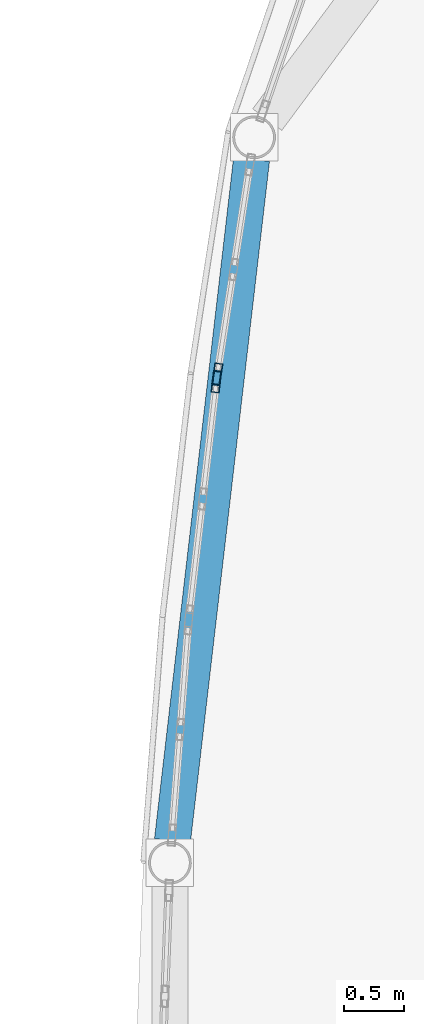
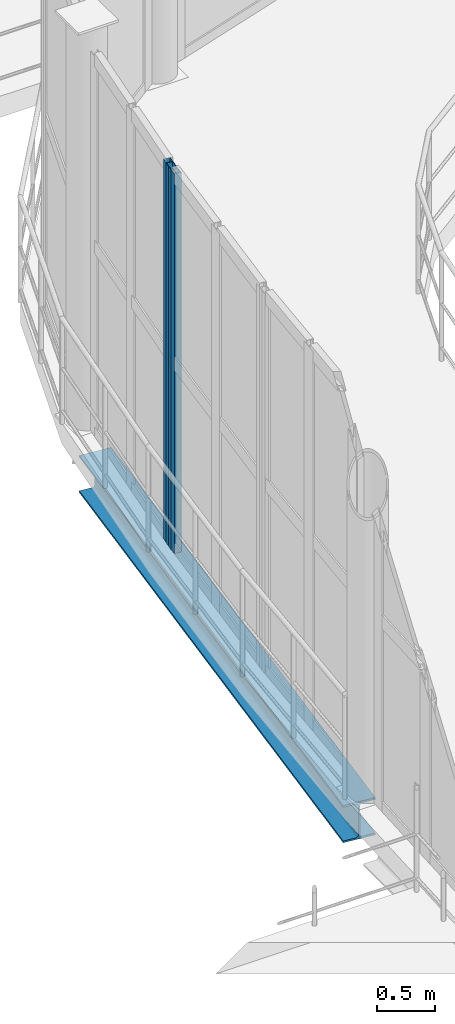
# One storey, part 42 of 138: 2 members, 1 beam, 2 elements without a shape of their own.
"""IFC4 building model written with IfcOpenShell, lengths in metres."""

from ifc_helpers import new_model, si_unit, direction, frame, origin, origin_2d, place, context, subcontext, project, spatial, hollow_rectangle, i_section, extrude, material, layer, layer_set, material_profile, profile_set, type_object, element, aggregate, save


model = new_model("IFC4")

# Units and contexts
model_context = context("Model", 3, precision=1e-05, world=origin(), true_north=direction((0.0, 1.0)))
body_context = subcontext(model_context, "Body", "Model", "MODEL_VIEW")
ifc_project = project(units=[si_unit("LENGTHUNIT", "METRE"), si_unit("AREAUNIT", "SQUARE_METRE"), si_unit("VOLUMEUNIT", "CUBIC_METRE"), si_unit("PLANEANGLEUNIT", "RADIAN"), si_unit("MASSUNIT", "GRAM", prefix="KILO")], contexts=[model_context])

# Site, building, storey
site_placement = place(None, origin())
site = spatial("IfcSite", under=ifc_project, at=site_placement, CompositionType="ELEMENT")
building_placement = place(site_placement, origin())
building = spatial("IfcBuilding", under=site, at=building_placement, Name="Vinh Khe Railworks Police Headquarters", CompositionType="ELEMENT")
storey_placement = place(building_placement, frame((0.0, 0.0, 9.0)))
storey = spatial("IfcBuildingStorey", under=building, at=storey_placement, Name="L02", CompositionType="ELEMENT", Elevation=9.0)

# Curtain wall, member
ifc_material_1 = material(Name="Anodised aluminium and acoustic laminated glass", Category="aluminium")
ifc_layer = layer(ifc_material_1, 0.159912109375)
ifc_layer_set = layer_set([ifc_layer], Name="Anodised aluminium and acoustic laminated glass")
curtain_wall_type = type_object("IfcCurtainWallType", Name="CW-DRUM-CHORD", PredefinedType="USERDEFINED", material=ifc_layer_set)
curtain_wall_1_placement = place(storey_placement, origin())
curtain_wall_1 = element("IfcCurtainWall", 1, at=curtain_wall_1_placement, inside=storey, type_object=curtain_wall_type, Name="Elliptical Command Drum Glazing L02 Chord 19", ObjectType="DRUM FACADE GLAZING", PredefinedType="USERDEFINED")
ifc_material_2 = material(Name="Anodised aluminium 6063-T6", Category="aluminium")
ifc_material_profile_1 = material_profile(ifc_material_2, hollow_rectangle(XDim=0.06494140625, YDim=0.179931640625, WallThickness=0.0048828125, at=origin_2d()), Name="CW-M 65x180x5")
ifc_profile_set_1 = profile_set([ifc_material_profile_1], Name="Anodised aluminium 6063-T6")
member_type = type_object("IfcMemberType", Name="MULL-CWM-02", PredefinedType="MULLION", material=ifc_profile_set_1)
member_1_placement = place(storey_placement, frame((37.181396484375, 49.089599609375, 0.0), z_axis=(0.0, 0.0, 1.0), x_axis=(0.988150166575, -0.153490222159, 0.0)))
member_1 = element("IfcMember", 2, at=member_1_placement, type_object=member_type, Name="CW-02 mullion 3", PredefinedType="MULLION", context=body_context, shape_type="SweptSolid", body=[
    extrude(hollow_rectangle(XDim=0.06494140625, YDim=0.179931640625, WallThickness=0.0048828125, at=origin_2d()), origin(), (0.0, 0.0, 1.0), 3.969970703125),
])
aggregate(curtain_wall_1, [member_1])

curtain_wall_2_placement = place(storey_placement, origin())
curtain_wall_2 = element("IfcCurtainWall", 3, at=curtain_wall_2_placement, inside=storey, type_object=curtain_wall_type, Name="Elliptical Command Drum Glazing L02 Chord 20", ObjectType="DRUM FACADE GLAZING", PredefinedType="USERDEFINED")
member_2_placement = place(storey_placement, frame((37.1728515625, 49.025146484375, 0.0), z_axis=(0.0, 0.0, 1.0), x_axis=(0.993328656296, -0.115317737498, 0.0)))
member_2 = element("IfcMember", 4, at=member_2_placement, type_object=member_type, Name="CW-02 mullion 1", PredefinedType="MULLION", context=body_context, shape_type="SweptSolid", body=[
    extrude(hollow_rectangle(XDim=0.06494140625, YDim=0.179931640625, WallThickness=0.0048828125, at=origin_2d()), origin(), (0.0, 0.0, 1.0), 3.969970703125),
])
aggregate(curtain_wall_2, [member_2])

# Beam
ifc_material_3 = material(Name="Steel S355JR", Category="steel")
ifc_material_profile_2 = material_profile(ifc_material_3, i_section(OverallWidth=0.300048828125, OverallDepth=0.389892578125, WebThickness=0.010986328125, FlangeThickness=0.01904296875, FilletRadius=0.027099609375, at=origin_2d()), Name="HEA 400")
ifc_profile_set_2 = profile_set([ifc_material_profile_2], Name="Steel S355JR")
beam_type = type_object("IfcBeamType", Name="Steel Girder HEA 400", PredefinedType="BEAM", material=ifc_profile_set_2)
beam_placement = place(storey_placement, frame((37.4658203125, 50.873779296875, -0.4150390625), z_axis=(-0.115349444921, -0.993324974798, 0.0), x_axis=(0.993324974798, -0.115349444921, 0.0)))
element("IfcBeam", 5, at=beam_placement, inside=storey, type_object=beam_type, Name="Drum Ring Girder BM-L02-DRUM-SB-14-1029", PredefinedType="BEAM", context=body_context, shape_type="SweptSolid", body=[
    extrude(i_section(OverallWidth=0.300048828125, OverallDepth=0.389892578125, WebThickness=0.010986328125, FlangeThickness=0.01904296875, FilletRadius=0.027099609375, at=origin_2d()), origin(), (0.0, 0.0, 1.0), 5.69775390625),
])

save(model, "model.ifc")
